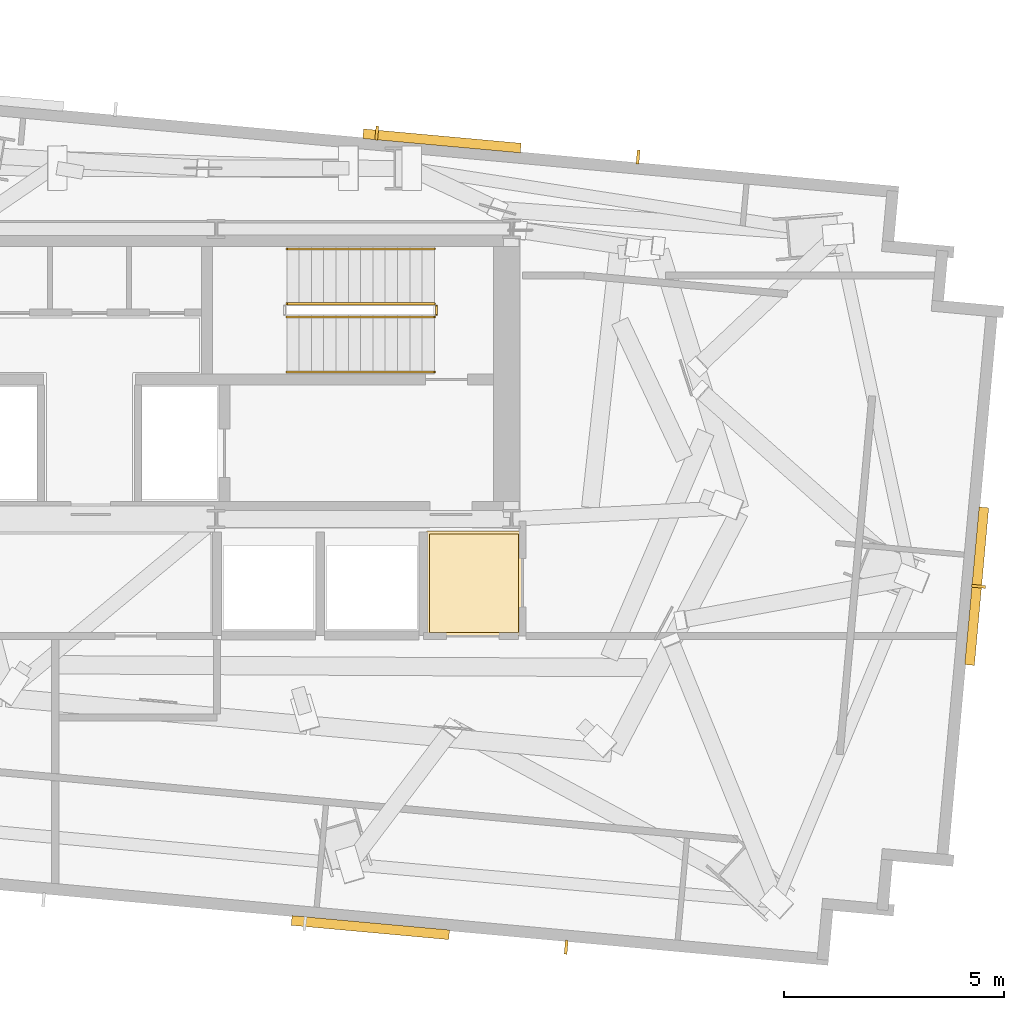
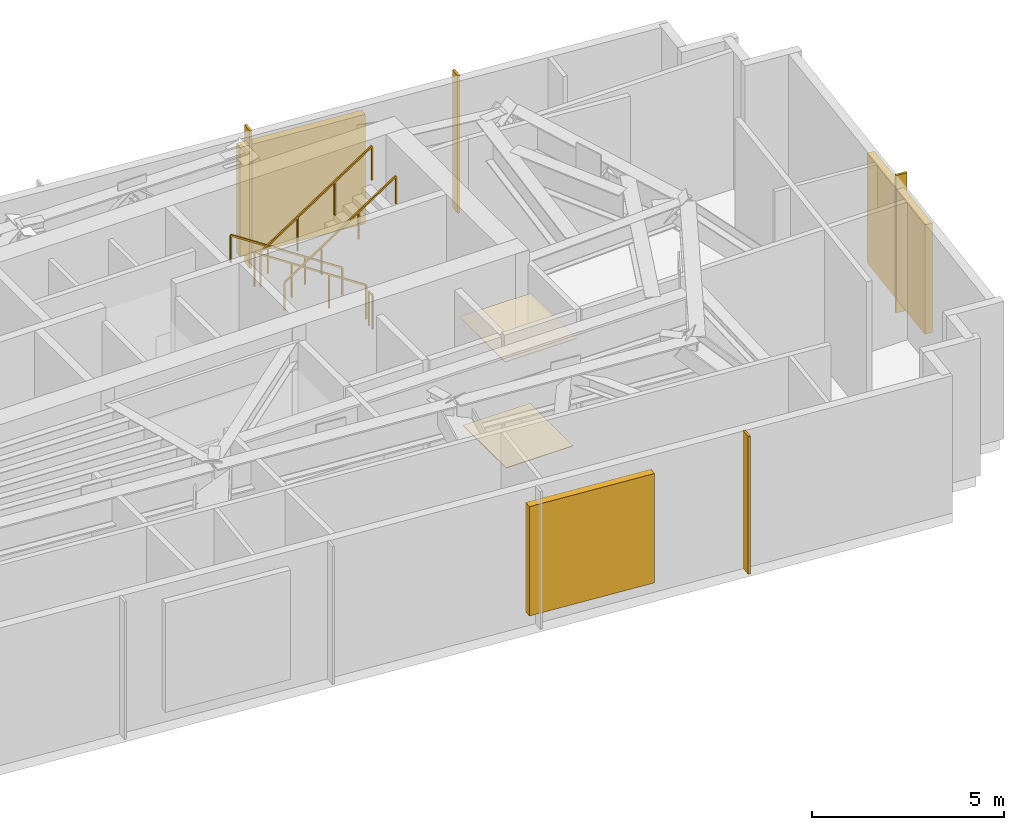
# One storey, part 9 of 9: 7 shading devices, 5 railings, 2 coverings.
"""IFC4 building model written with IfcOpenShell, lengths in metres."""

from ifc_helpers import new_model, si_unit, direction, frame, origin, origin_2d, place, context, subcontext, project, spatial, polyline, rectangle, outline, extrude, source, transform, mapped, material, layer, layer_set, type_object, type_shapes, element, save


model = new_model("IFC4")

# Units and contexts
model_context = context("Model", 3, precision=1e-05, world=origin(), true_north=direction((0.0, 1.0)))
body_context = subcontext(model_context, "Body", "Model", "MODEL_VIEW")
ifc_project = project(units=[si_unit("LENGTHUNIT", "METRE"), si_unit("AREAUNIT", "SQUARE_METRE"), si_unit("VOLUMEUNIT", "CUBIC_METRE"), si_unit("PLANEANGLEUNIT", "RADIAN"), si_unit("MASSUNIT", "GRAM", prefix="KILO")], contexts=[model_context])

# Site, building, storey
site_placement = place(None, origin())
site = spatial("IfcSite", under=ifc_project, at=site_placement, CompositionType="ELEMENT")
building_placement = place(site_placement, origin())
building = spatial("IfcBuilding", under=site, at=building_placement, Name="Astriad Promenade Condominiums", CompositionType="ELEMENT")
storey_placement = place(building_placement, frame((0.0, 0.0, 259.5)))
storey = spatial("IfcBuildingStorey", under=building, at=storey_placement, Name="L75", CompositionType="ELEMENT", Elevation=259.5)

# Coverings
ifc_material_1 = material(Name="Mineral-Fibre Acoustic Ceiling Tile")
ifc_layer_1 = layer(ifc_material_1, 0.02490234375)
ifc_layer_set_1 = layer_set([ifc_layer_1], Name="Mineral-Fibre Acoustic Ceiling Tile")
covering_type_1 = type_object("IfcCoveringType", Name="COV-CEIL-ACOUSTIC-25", PredefinedType="CEILING", material=ifc_layer_set_1)
covering_1_placement = place(storey_placement, frame((0.0, 0.0, 3.43505859375)))
element("IfcCovering", 1, at=covering_1_placement, inside=storey, type_object=covering_type_1, Name="CEIL-L75-PCOR-2", PredefinedType="CEILING", context=body_context, shape_type="SweptSolid", body=[
    extrude(outline(polyline([(43.670166015625, 17.102783203125), (43.670654296875, 17.10595703125), (43.67138671875, 17.108642578125), (43.67236328125, 17.111572265625), (43.673583984375, 17.114013671875), (43.675048828125, 17.11669921875), (43.6767578125, 17.118896484375), (43.6787109375, 17.12109375), (43.680908203125, 17.123291015625), (43.683349609375, 17.125), (43.685791015625, 17.12646484375), (43.6884765625, 17.127685546875), (43.69140625, 17.128662109375), (43.694091796875, 17.12939453125), (43.697021484375, 17.1298828125), (43.699951171875, 17.1298828125), (45.330322265625, 17.1298828125), (45.330322265625, 17.122314453125), (45.81982421875, 17.122314453125), (45.8212890625, 17.12109375), (45.8232421875, 17.118896484375), (45.824951171875, 17.11669921875), (45.826416015625, 17.114013671875), (45.82763671875, 17.111572265625), (45.82861328125, 17.108642578125), (45.829345703125, 17.10595703125), (45.829833984375, 17.102783203125), (45.830078125, 17.10009765625), (45.830078125, 14.780029296875), (45.829833984375, 14.777099609375), (45.829345703125, 14.774169921875), (45.82861328125, 14.771240234375), (45.82763671875, 14.7685546875), (45.826416015625, 14.765869140625), (45.824951171875, 14.76318359375), (45.8232421875, 14.760986328125), (45.8212890625, 14.7587890625), (45.819091796875, 14.7568359375), (45.816650390625, 14.755126953125), (45.814208984375, 14.75341796875), (45.8115234375, 14.752197265625), (45.80859375, 14.751220703125), (45.805908203125, 14.75048828125), (45.802978515625, 14.75), (45.800048828125, 14.75), (43.699951171875, 14.75), (43.697021484375, 14.75), (43.694091796875, 14.75048828125), (43.69140625, 14.751220703125), (43.6884765625, 14.752197265625), (43.685791015625, 14.75341796875), (43.683349609375, 14.755126953125), (43.680908203125, 14.7568359375), (43.6787109375, 14.7587890625), (43.6767578125, 14.760986328125), (43.675048828125, 14.76318359375), (43.673583984375, 14.765869140625), (43.67236328125, 14.7685546875), (43.67138671875, 14.771240234375), (43.670654296875, 14.774169921875), (43.670166015625, 14.777099609375), (43.669921875, 14.780029296875), (43.669921875, 17.10009765625), (43.670166015625, 17.102783203125)])), origin(), (0.0, 0.0, 1.0), 0.02490234375),
])
ifc_material_2 = material(Name="Polished Lakefront Terrazzo Flooring")
ifc_layer_2 = layer(ifc_material_2, 0.02001953125)
ifc_layer_set_2 = layer_set([ifc_layer_2], Name="Polished Lakefront Terrazzo Flooring")
covering_type_2 = type_object("IfcCoveringType", Name="COV-FLOR-TERRAZZO-20", PredefinedType="FLOORING", material=ifc_layer_set_2)
covering_2_placement = place(storey_placement, origin())
element("IfcCovering", 2, at=covering_2_placement, inside=storey, type_object=covering_type_2, Name="FLR-L75-PCOR-2", PredefinedType="FLOORING", context=body_context, shape_type="SweptSolid", body=[
    extrude(outline(polyline([(43.739990234375, 14.820068359375), (43.739990234375, 17.06005859375), (45.760009765625, 17.06005859375), (45.760009765625, 14.820068359375), (43.739990234375, 14.820068359375)])), origin(), (0.0, 0.0, 1.0), 0.02001953125),
])

# Shading devices
ifc_material_3 = material(Name="Anodised aluminium 6063-T6 Black Louvre", Category="aluminium")
shading_device_type_1 = type_object("IfcShadingDeviceType", Name="LOUVRE-ACOUSTIC-220", PredefinedType="JALOUSIE", material=ifc_material_3)
shared_shape_1 = source(origin(), body_context, "Body", "SweptSolid", [
    extrude(rectangle(XDim=3.60009765625, YDim=0.219970703125, at=origin_2d()), origin(), (0.0, 0.0, 1.0), 3.47998046875),
])
type_shapes(shading_device_type_1, [shared_shape_1])
for number, where, z_axis, x_axis, name in (
    (3, (44.021728515625, 26.005859375, 0.449951171875), (0.0, 0.0, 1.0), (0.995884398616, -0.090632580198, 0.0), "LVR-L75-N-3"),
    (4, (56.193115234375, 15.87109375, 0.449951171875), (0.0, 0.0, 1.0), (-0.090632580198, -0.995884398616, 0.0), "LVR-L75-E-1"),
    (5, (42.392333984375, 8.099853515625, 0.449951171875), (0.0, 0.0, 1.0), (-0.995884398616, 0.090632580198, 0.0), "LVR-L75-S-1"),
):
    element("IfcShadingDevice", number, at=place(storey_placement, frame(where, z_axis=z_axis, x_axis=x_axis)), inside=storey, type_object=shading_device_type_1, Name=name, PredefinedType="JALOUSIE", context=body_context, shape_type="MappedRepresentation", body=[
        mapped(shared_shape_1, transform((0.0, 0.0, 0.0), scale=1.0)),
    ])
ifc_material_4 = material(Name="Anodised aluminium 6063-T6 Black Fin", Category="aluminium")
shading_device_type_2 = type_object("IfcShadingDeviceType", Name="FIN-BLACK-260", PredefinedType="USERDEFINED", material=ifc_material_4)
shared_shape_2 = source(origin(), body_context, "Body", "SweptSolid", [
    extrude(rectangle(XDim=0.06494140625, YDim=0.320068359375, at=origin_2d()), origin(), (0.0, 0.0, 1.0), 4.3798828125),
])
type_shapes(shading_device_type_2, [shared_shape_2])
for number, where, z_axis, x_axis, name in (
    (6, (42.53857421875, 26.180908203125, 0.0), (0.0, 0.0, 1.0), (0.995884398616, -0.090632580198, 0.0), "FIN-PLT-L75-N-05"),
    (7, (48.485595703125, 25.639892578125, 0.0), (0.0, 0.0, 1.0), (0.995884398616, -0.090632580198, 0.0), "FIN-PLT-L75-N-06"),
    (8, (56.233154296875, 15.867431640625, 0.0), (0.0, 0.0, 1.0), (-0.090632580198, -0.995884398616, 0.0), "FIN-PLT-L75-E-01"),
    (9, (46.848876953125, 7.654296875, 0.0), (0.0, 0.0, 1.0), (-0.995884398616, 0.090632580198, 0.0), "FIN-PLT-L75-S-01"),
):
    element("IfcShadingDevice", number, at=place(storey_placement, frame(where, z_axis=z_axis, x_axis=x_axis)), inside=storey, type_object=shading_device_type_2, Name=name, ObjectType="FIN", PredefinedType="USERDEFINED", context=body_context, shape_type="MappedRepresentation", body=[
        mapped(shared_shape_2, transform((0.0, 0.0, 0.0), scale=1.0)),
    ])

# Railings
ifc_material_5 = material(Name="Painted Galvanised Steel Guardrail", Category="steel")
railing_type_1 = type_object("IfcRailingType", Name="GRD-STAIR-1100", PredefinedType="GUARDRAIL", material=ifc_material_5)
shared_shape_3 = source(origin(), body_context, "Body", "SweptSolid", [
    extrude(rectangle(XDim=0.048095703125, YDim=0.048095703125, at=origin_2d()), frame((0.0, 0.0, 1.076171875), z_axis=(0.834876476806, 0.0, 0.550437342915), x_axis=(0.0, 1.0, 0.0)), (0.0, 0.0, 1.0), 4.024658203125),
    extrude(rectangle(XDim=0.0419921875, YDim=0.0419921875, at=origin_2d()), origin(), (0.0, 0.0, 1.0), 1.052001953125),
    extrude(rectangle(XDim=0.0419921875, YDim=0.0419921875, at=origin_2d()), frame((1.1201171875, 0.0, 0.738525390625)), (0.0, 0.0, 1.0), 1.052001953125),
    extrude(rectangle(XDim=0.0419921875, YDim=0.0419921875, at=origin_2d()), frame((2.239990234375, 0.0, 1.476806640625)), (0.0, 0.0, 1.0), 1.052001953125),
    extrude(rectangle(XDim=0.0419921875, YDim=0.0419921875, at=origin_2d()), frame((3.360107421875, 0.0, 2.21533203125)), (0.0, 0.0, 1.0), 1.052001953125),
])
railing_1_placement = place(storey_placement, frame((40.489990234375, 22.0, 2.584716796875)))
element("IfcRailing", 10, at=railing_1_placement, inside=storey, type_object=railing_type_1, Name="L75 ST-2 stair guard 3", PredefinedType="GUARDRAIL", context=body_context, shape_type="MappedRepresentation", body=[
    mapped(shared_shape_3, transform((0.0, 0.0, 0.0), scale=1.0)),
])
ifc_material_6 = material(Name="Brushed Stainless Steel Handrail", Category="steel")
railing_type_2 = type_object("IfcRailingType", Name="HRL-STAIR-920", PredefinedType="HANDRAIL", material=ifc_material_6)
shared_shape_4 = source(origin(), body_context, "Body", "SweptSolid", [
    extrude(rectangle(XDim=0.048095703125, YDim=0.048095703125, at=origin_2d()), frame((0.0, 0.0, 0.8759765625), z_axis=(0.834876476806, 0.0, 0.550437342915), x_axis=(0.0, 1.0, 0.0)), (0.0, 0.0, 1.0), 4.024658203125),
    extrude(rectangle(XDim=0.0419921875, YDim=0.0419921875, at=origin_2d()), origin(), (0.0, 0.0, 1.0), 0.851806640625),
    extrude(rectangle(XDim=0.0419921875, YDim=0.0419921875, at=origin_2d()), frame((1.1201171875, 0.0, 0.738525390625)), (0.0, 0.0, 1.0), 0.851806640625),
    extrude(rectangle(XDim=0.0419921875, YDim=0.0419921875, at=origin_2d()), frame((2.239990234375, 0.0, 1.476806640625)), (0.0, 0.0, 1.0), 0.851806640625),
    extrude(rectangle(XDim=0.0419921875, YDim=0.0419921875, at=origin_2d()), frame((3.360107421875, 0.0, 2.21533203125)), (0.0, 0.0, 1.0), 0.851806640625),
])
railing_2_placement = place(storey_placement, frame((40.489990234375, 20.75, 2.584716796875)))
element("IfcRailing", 11, at=railing_2_placement, inside=storey, type_object=railing_type_2, Name="L75 ST-2 stair handrail 2", PredefinedType="HANDRAIL", context=body_context, shape_type="MappedRepresentation", body=[
    mapped(shared_shape_4, transform((0.0, 0.0, 0.0), scale=1.0)),
])
shared_shape_5 = source(origin(), body_context, "Body", "SweptSolid", [
    extrude(rectangle(XDim=0.048095703125, YDim=0.048095703125, at=origin_2d()), frame((0.0, 0.0, 1.076171875), z_axis=(-0.834876476806, 0.0, 0.550437342915), x_axis=(0.0, -1.0, 0.0)), (0.0, 0.0, 1.0), 4.024658203125),
    extrude(rectangle(XDim=0.0419921875, YDim=0.0419921875, at=origin_2d()), origin(), (0.0, 0.0, 1.0), 1.052001953125),
    extrude(rectangle(XDim=0.0419921875, YDim=0.0419921875, at=origin_2d()), frame((-1.1201171875, 0.0, 0.738525390625)), (0.0, 0.0, 1.0), 1.052001953125),
    extrude(rectangle(XDim=0.0419921875, YDim=0.0419921875, at=origin_2d()), frame((-2.239990234375, 0.0, 1.476806640625)), (0.0, 0.0, 1.0), 1.052001953125),
    extrude(rectangle(XDim=0.0419921875, YDim=0.0419921875, at=origin_2d()), frame((-3.360107421875, 0.0, 2.21533203125)), (0.0, 0.0, 1.0), 1.052001953125),
])
railing_3_placement = place(storey_placement, frame((43.85009765625, 22.300048828125, 0.1845703125)))
element("IfcRailing", 12, at=railing_3_placement, inside=storey, type_object=railing_type_1, Name="L75 ST-2 stair guard 1", PredefinedType="GUARDRAIL", context=body_context, shape_type="MappedRepresentation", body=[
    mapped(shared_shape_5, transform((0.0, 0.0, 0.0), scale=1.0)),
])
shared_shape_6 = source(origin(), body_context, "Body", "SweptSolid", [
    extrude(rectangle(XDim=0.048095703125, YDim=0.048095703125, at=origin_2d()), frame((0.0, 0.0, 0.8759765625), z_axis=(-0.834876476806, 0.0, 0.550437342915), x_axis=(0.0, -1.0, 0.0)), (0.0, 0.0, 1.0), 4.024658203125),
    extrude(rectangle(XDim=0.0419921875, YDim=0.0419921875, at=origin_2d()), origin(), (0.0, 0.0, 1.0), 0.851806640625),
    extrude(rectangle(XDim=0.0419921875, YDim=0.0419921875, at=origin_2d()), frame((-1.1201171875, 0.0, 0.738525390625)), (0.0, 0.0, 1.0), 0.851806640625),
    extrude(rectangle(XDim=0.0419921875, YDim=0.0419921875, at=origin_2d()), frame((-2.239990234375, 0.0, 1.476806640625)), (0.0, 0.0, 1.0), 0.851806640625),
    extrude(rectangle(XDim=0.0419921875, YDim=0.0419921875, at=origin_2d()), frame((-3.360107421875, 0.0, 2.21533203125)), (0.0, 0.0, 1.0), 0.851806640625),
])
type_shapes(railing_type_2, [shared_shape_4, shared_shape_6])
railing_4_placement = place(storey_placement, frame((43.85009765625, 23.550048828125, 0.1845703125)))
element("IfcRailing", 13, at=railing_4_placement, inside=storey, type_object=railing_type_2, Name="L75 ST-2 stair handrail 1", PredefinedType="HANDRAIL", context=body_context, shape_type="MappedRepresentation", body=[
    mapped(shared_shape_6, transform((0.0, 0.0, 0.0), scale=1.0)),
])
shared_shape_7 = source(origin(), body_context, "Body", "SweptSolid", [
    extrude(rectangle(XDim=0.048095703125, YDim=0.048095703125, at=origin_2d()), frame((0.0, 0.0, 1.076171875), z_axis=(0.0, -1.0, 0.0), x_axis=(1.0, 0.0, 0.0)), (0.0, 0.0, 1.0), 0.199951171875),
    extrude(rectangle(XDim=0.0419921875, YDim=0.0419921875, at=origin_2d()), origin(), (0.0, 0.0, 1.0), 1.052001953125),
    extrude(rectangle(XDim=0.0419921875, YDim=0.0419921875, at=origin_2d()), frame((0.0, -0.199951171875, 0.0)), (0.0, 0.0, 1.0), 1.052001953125),
])
type_shapes(railing_type_1, [shared_shape_3, shared_shape_5, shared_shape_7])
railing_5_placement = place(storey_placement, frame((43.89990234375, 22.25, 0.0)))
element("IfcRailing", 14, at=railing_5_placement, inside=storey, type_object=railing_type_1, Name="L75 ST-2 stair guard 4", PredefinedType="GUARDRAIL", context=body_context, shape_type="MappedRepresentation", body=[
    mapped(shared_shape_7, transform((0.0, 0.0, 0.0), scale=1.0)),
])

save(model, "model.ifc")
